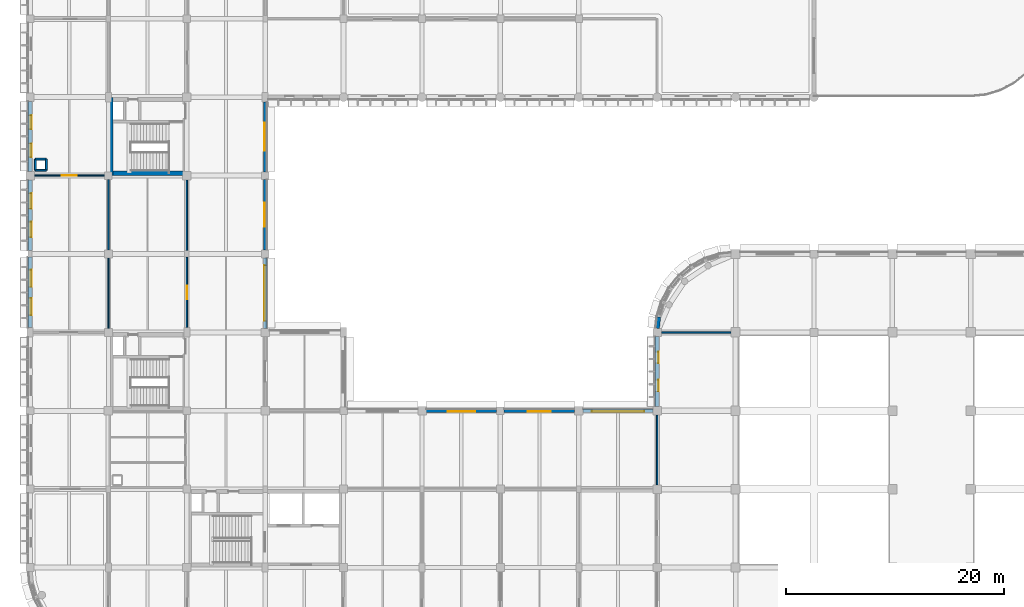
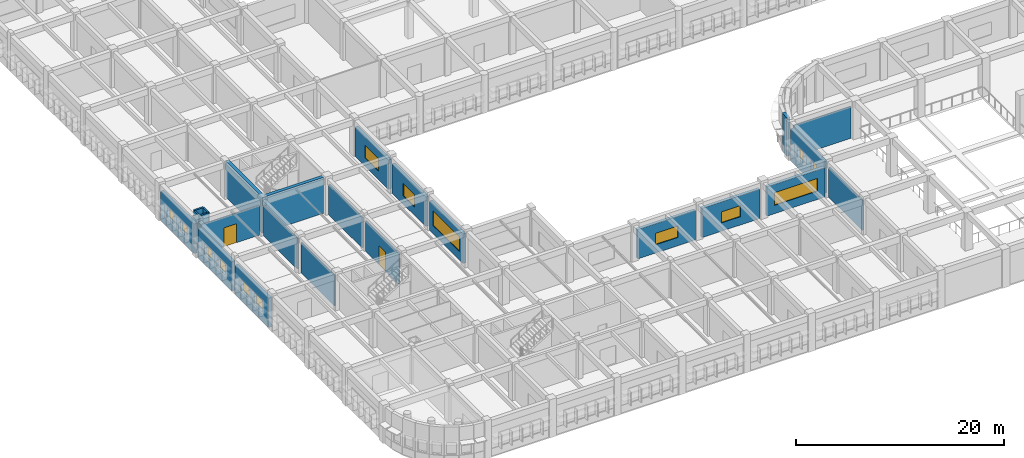
# One storey, part 37 of 61: 24 walls, 14 windows, 2 doors, 16 openings.
"""IFC4 building model written with IfcOpenShell, lengths in metres."""

from ifc_helpers import new_model, si_unit, direction, frame, frame_2d, origin, place, context, subcontext, project, spatial, rectangle, extrude, material, layer, layer_set, type_object, element, fill, save


model = new_model("IFC4")

# Units and contexts
model_context = context("Model", 3, precision=1e-05, world=origin(), true_north=direction((0.0, 1.0)))
body_context = subcontext(model_context, "Body", "Model", "MODEL_VIEW")
ifc_project = project(units=[si_unit("LENGTHUNIT", "METRE"), si_unit("AREAUNIT", "SQUARE_METRE"), si_unit("VOLUMEUNIT", "CUBIC_METRE"), si_unit("PLANEANGLEUNIT", "RADIAN"), si_unit("MASSUNIT", "GRAM", prefix="KILO")], contexts=[model_context])

# Site, building, storey
site_placement = place(None, origin())
site = spatial("IfcSite", under=ifc_project, at=site_placement, CompositionType="ELEMENT")
building_placement = place(site_placement, origin())
building = spatial("IfcBuilding", under=site, at=building_placement, Name="Thalmaran Polytechnic", CompositionType="ELEMENT")
storey_placement = place(building_placement, frame((0.0, 0.0, 9.89990234375)))
storey = spatial("IfcBuildingStorey", under=building, at=storey_placement, Name="L02", CompositionType="ELEMENT", Elevation=9.89990234375)

# Wall, openings, windows
ifc_material_1 = material(Name="Precast concrete C40/50", Category="concrete")
ifc_layer_1 = layer(ifc_material_1, 0.360107421875, Name="Precast concrete C40/50")
ifc_layer_set_1 = layer_set([ifc_layer_1], Name="Precast concrete C40/50")
wall_type_1 = type_object("IfcWallType", Name="WL-EW01", PredefinedType="STANDARD", material=ifc_layer_set_1)
wall_1_placement = place(storey_placement, frame((0.0, 29.22509765625, 0.0), z_axis=(0.0, 0.0, 1.0), x_axis=(0.0, 1.0, 0.0)))
wall_1 = element("IfcWall", 1, at=wall_1_placement, inside=storey, type_object=wall_type_1, Name="Exterior Precast Facade Wall L02-005", PredefinedType="STANDARD", context=body_context, shape_type="SweptSolid", body=[
    extrude(rectangle(XDim=6.474853515625, YDim=0.360107421875, at=frame_2d((3.2373046875, 0.0))), origin(), (0.0, 0.0, 1.0), 3.47021484375),
])
opening_1_placement = place(wall_1_placement, frame((1.16748046875, 0.0, 1.14990234375)))
opening_1 = element("IfcOpeningElement", 2, at=opening_1_placement, cuts=wall_1, Name="Opening VW09", PredefinedType="OPENING", context=body_context, shape_type="SweptSolid", body=[
    extrude(rectangle(XDim=1.550048828125, YDim=1.35009765625, at=frame_2d((0.77490234375, 0.675048828125))), frame((0.0, 0.18994140625, 0.0), z_axis=(0.0, -1.0, 0.0), x_axis=(1.0, 0.0, 0.0)), (0.0, 0.0, 1.0), 0.380126953125),
])
opening_2_placement = place(wall_1_placement, frame((3.757568359375, 0.0, 1.14990234375)))
opening_2 = element("IfcOpeningElement", 3, at=opening_2_placement, cuts=wall_1, Name="Opening VW09", PredefinedType="OPENING", context=body_context, shape_type="SweptSolid", body=[
    extrude(rectangle(XDim=1.550048828125, YDim=1.35009765625, at=frame_2d((0.77490234375, 0.675048828125))), frame((0.0, 0.18994140625, 0.0), z_axis=(0.0, -1.0, 0.0), x_axis=(1.0, 0.0, 0.0)), (0.0, 0.0, 1.0), 0.380126953125),
])
ifc_material_2 = material(Name="Thermally broken aluminium and double low-E glass", Category="aluminium")
window_type_1 = type_object("IfcWindowType", Name="WN-VZ09", PartitioningType="SINGLE_PANEL", PredefinedType="WINDOW", material=ifc_material_2)
window_1_placement = place(opening_1_placement, origin())
window_1 = element("IfcWindow", 4, at=window_1_placement, inside=storey, type_object=window_type_1, Name="Deep-Set Solar-Screened Window W-0193", OverallHeight=1.35009765625, OverallWidth=1.550048828125, PartitioningType="SINGLE_PANEL", PredefinedType="WINDOW", context=body_context, shape_type="SweptSolid", body=[
    extrude(rectangle(XDim=1.550048828125, YDim=1.35009765625, at=frame_2d((0.77490234375, 0.675048828125))), frame((0.0, -0.080078125, 0.0), z_axis=(0.0, -1.0, 0.0), x_axis=(1.0, 0.0, 0.0)), (0.0, 0.0, 1.0), 0.06005859375),
])
fill(opening_1, window_1)
window_2_placement = place(opening_2_placement, origin())
window_2 = element("IfcWindow", 5, at=window_2_placement, inside=storey, type_object=window_type_1, Name="Deep-Set Solar-Screened Window W-0194", OverallHeight=1.35009765625, OverallWidth=1.550048828125, PartitioningType="SINGLE_PANEL", PredefinedType="WINDOW", context=body_context, shape_type="SweptSolid", body=[
    extrude(rectangle(XDim=1.550048828125, YDim=1.35009765625, at=frame_2d((0.77490234375, 0.675048828125))), frame((0.0, -0.080078125, 0.0), z_axis=(0.0, -1.0, 0.0), x_axis=(1.0, 0.0, 0.0)), (0.0, 0.0, 1.0), 0.06005859375),
])
fill(opening_2, window_2)

wall_2_placement = place(storey_placement, frame((0.0, 36.300048828125, 0.0), z_axis=(0.0, 0.0, 1.0), x_axis=(0.0, 1.0, 0.0)))
wall_2 = element("IfcWall", 6, at=wall_2_placement, inside=storey, type_object=wall_type_1, Name="Exterior Precast Facade Wall L02-006", PredefinedType="STANDARD", context=body_context, shape_type="SweptSolid", body=[
    extrude(rectangle(XDim=6.510009765625, YDim=0.360107421875, at=frame_2d((3.2548828125, 0.0))), origin(), (0.0, 0.0, 1.0), 3.47021484375),
])
opening_3_placement = place(wall_2_placement, frame((1.2529296875, 0.0, 1.14990234375)))
opening_3 = element("IfcOpeningElement", 7, at=opening_3_placement, cuts=wall_2, Name="Opening VW10", PredefinedType="OPENING", context=body_context, shape_type="SweptSolid", body=[
    extrude(rectangle(XDim=1.39990234375, YDim=1.300048828125, at=frame_2d((0.699951171875, 0.64990234375))), frame((0.0, 0.18994140625, 0.0), z_axis=(0.0, -1.0, 0.0), x_axis=(1.0, 0.0, 0.0)), (0.0, 0.0, 1.0), 0.380126953125),
])
opening_4_placement = place(wall_2_placement, frame((3.85693359375, 0.0, 1.14990234375)))
opening_4 = element("IfcOpeningElement", 8, at=opening_4_placement, cuts=wall_2, Name="Opening VW10", PredefinedType="OPENING", context=body_context, shape_type="SweptSolid", body=[
    extrude(rectangle(XDim=1.39990234375, YDim=1.300048828125, at=frame_2d((0.699951171875, 0.64990234375))), frame((0.0, 0.18994140625, 0.0), z_axis=(0.0, -1.0, 0.0), x_axis=(1.0, 0.0, 0.0)), (0.0, 0.0, 1.0), 0.380126953125),
])
window_type_2 = type_object("IfcWindowType", Name="WN-VZ10", PartitioningType="SINGLE_PANEL", PredefinedType="WINDOW", material=ifc_material_2)
window_3_placement = place(opening_3_placement, origin())
window_3 = element("IfcWindow", 9, at=window_3_placement, inside=storey, type_object=window_type_2, Name="Deep-Set Solar-Screened Window W-0195", OverallHeight=1.300048828125, OverallWidth=1.39990234375, PartitioningType="SINGLE_PANEL", PredefinedType="WINDOW", context=body_context, shape_type="SweptSolid", body=[
    extrude(rectangle(XDim=1.39990234375, YDim=1.300048828125, at=frame_2d((0.699951171875, 0.64990234375))), frame((0.0, -0.080078125, 0.0), z_axis=(0.0, -1.0, 0.0), x_axis=(1.0, 0.0, 0.0)), (0.0, 0.0, 1.0), 0.06005859375),
])
fill(opening_3, window_3)
window_4_placement = place(opening_4_placement, origin())
window_4 = element("IfcWindow", 10, at=window_4_placement, inside=storey, type_object=window_type_2, Name="Deep-Set Solar-Screened Window W-0196", OverallHeight=1.300048828125, OverallWidth=1.39990234375, PartitioningType="SINGLE_PANEL", PredefinedType="WINDOW", context=body_context, shape_type="SweptSolid", body=[
    extrude(rectangle(XDim=1.39990234375, YDim=1.300048828125, at=frame_2d((0.699951171875, 0.64990234375))), frame((0.0, -0.080078125, 0.0), z_axis=(0.0, -1.0, 0.0), x_axis=(1.0, 0.0, 0.0)), (0.0, 0.0, 1.0), 0.06005859375),
])
fill(opening_4, window_4)

wall_3_placement = place(storey_placement, frame((0.0, 43.590087890625, 0.0), z_axis=(0.0, 0.0, 1.0), x_axis=(0.0, 1.0, 0.0)))
wall_3 = element("IfcWall", 11, at=wall_3_placement, inside=storey, type_object=wall_type_1, Name="Exterior Precast Facade Wall L02-007", PredefinedType="STANDARD", context=body_context, shape_type="SweptSolid", body=[
    extrude(rectangle(XDim=6.434814453125, YDim=0.360107421875, at=frame_2d((3.21728515625, 0.0))), origin(), (0.0, 0.0, 1.0), 3.47021484375),
])
opening_5_placement = place(wall_3_placement, frame((1.305419921875, 0.0, 1.14990234375)))
opening_5 = element("IfcOpeningElement", 12, at=opening_5_placement, cuts=wall_3, Name="Opening VW11", PredefinedType="OPENING", context=body_context, shape_type="SweptSolid", body=[
    extrude(rectangle(XDim=1.25, YDim=1.25, at=frame_2d((0.625, 0.625))), frame((0.0, 0.18994140625, 0.0), z_axis=(0.0, -1.0, 0.0), x_axis=(1.0, 0.0, 0.0)), (0.0, 0.0, 1.0), 0.380126953125),
])
opening_6_placement = place(wall_3_placement, frame((3.87939453125, 0.0, 1.14990234375)))
opening_6 = element("IfcOpeningElement", 13, at=opening_6_placement, cuts=wall_3, Name="Opening VW11", PredefinedType="OPENING", context=body_context, shape_type="SweptSolid", body=[
    extrude(rectangle(XDim=1.25, YDim=1.25, at=frame_2d((0.625, 0.625))), frame((0.0, 0.18994140625, 0.0), z_axis=(0.0, -1.0, 0.0), x_axis=(1.0, 0.0, 0.0)), (0.0, 0.0, 1.0), 0.380126953125),
])
window_type_3 = type_object("IfcWindowType", Name="WN-VZ11", PartitioningType="SINGLE_PANEL", PredefinedType="WINDOW", material=ifc_material_2)
window_5_placement = place(opening_5_placement, origin())
window_5 = element("IfcWindow", 14, at=window_5_placement, inside=storey, type_object=window_type_3, Name="Deep-Set Solar-Screened Window W-0197", OverallHeight=1.25, OverallWidth=1.25, PartitioningType="SINGLE_PANEL", PredefinedType="WINDOW", context=body_context, shape_type="SweptSolid", body=[
    extrude(rectangle(XDim=1.25, YDim=1.25, at=frame_2d((0.625, 0.625))), frame((0.0, -0.080078125, 0.0), z_axis=(0.0, -1.0, 0.0), x_axis=(1.0, 0.0, 0.0)), (0.0, 0.0, 1.0), 0.06005859375),
])
fill(opening_5, window_5)
window_6_placement = place(opening_6_placement, origin())
window_6 = element("IfcWindow", 15, at=window_6_placement, inside=storey, type_object=window_type_3, Name="Deep-Set Solar-Screened Window W-0198", OverallHeight=1.25, OverallWidth=1.25, PartitioningType="SINGLE_PANEL", PredefinedType="WINDOW", context=body_context, shape_type="SweptSolid", body=[
    extrude(rectangle(XDim=1.25, YDim=1.25, at=frame_2d((0.625, 0.625))), frame((0.0, -0.080078125, 0.0), z_axis=(0.0, -1.0, 0.0), x_axis=(1.0, 0.0, 0.0)), (0.0, 0.0, 1.0), 0.06005859375),
])
fill(opening_6, window_6)

wall_4_placement = place(storey_placement, frame((57.60009765625, 21.97509765625, 0.0), z_axis=(0.0, 0.0, 1.0), x_axis=(0.0, 1.0, 0.0)))
wall_4 = element("IfcWall", 16, at=wall_4_placement, inside=storey, type_object=wall_type_1, Name="Exterior Precast Facade Wall L02-138", PredefinedType="STANDARD", context=body_context, shape_type="SweptSolid", body=[
    extrude(rectangle(XDim=6.449951171875, YDim=0.360107421875, at=frame_2d((3.22509765625, 0.0))), origin(), (0.0, 0.0, 1.0), 3.7451171875),
])
opening_7_placement = place(wall_4_placement, frame((1.409912109375, 0.0, 1.14990234375)))
opening_7 = element("IfcOpeningElement", 17, at=opening_7_placement, cuts=wall_4, Name="Opening PW12", PredefinedType="OPENING", context=body_context, shape_type="SweptSolid", body=[
    extrude(rectangle(XDim=1.050048828125, YDim=1.35009765625, at=frame_2d((0.52490234375, 0.675048828125))), frame((0.0, 0.18994140625, 0.0), z_axis=(0.0, -1.0, 0.0), x_axis=(1.0, 0.0, 0.0)), (0.0, 0.0, 1.0), 0.380126953125),
])
opening_8_placement = place(wall_4_placement, frame((3.989990234375, 0.0, 1.14990234375)))
opening_8 = element("IfcOpeningElement", 18, at=opening_8_placement, cuts=wall_4, Name="Opening PW12", PredefinedType="OPENING", context=body_context, shape_type="SweptSolid", body=[
    extrude(rectangle(XDim=1.050048828125, YDim=1.35009765625, at=frame_2d((0.52490234375, 0.675048828125))), frame((0.0, 0.18994140625, 0.0), z_axis=(0.0, -1.0, 0.0), x_axis=(1.0, 0.0, 0.0)), (0.0, 0.0, 1.0), 0.380126953125),
])
window_type_4 = type_object("IfcWindowType", Name="WN-PW02", PartitioningType="SINGLE_PANEL", PredefinedType="WINDOW", material=ifc_material_2)
window_7_placement = place(opening_7_placement, origin())
window_7 = element("IfcWindow", 19, at=window_7_placement, inside=storey, type_object=window_type_4, Name="Deep-Set Solar-Screened Window W-0352", OverallHeight=1.35009765625, OverallWidth=1.050048828125, PartitioningType="SINGLE_PANEL", PredefinedType="WINDOW", context=body_context, shape_type="SweptSolid", body=[
    extrude(rectangle(XDim=1.050048828125, YDim=1.35009765625, at=frame_2d((0.52490234375, 0.675048828125))), frame((0.0, -0.080078125, 0.0), z_axis=(0.0, -1.0, 0.0), x_axis=(1.0, 0.0, 0.0)), (0.0, 0.0, 1.0), 0.06005859375),
])
fill(opening_7, window_7)
window_8_placement = place(opening_8_placement, origin())
window_8 = element("IfcWindow", 20, at=window_8_placement, inside=storey, type_object=window_type_4, Name="Deep-Set Solar-Screened Window W-0353", OverallHeight=1.35009765625, OverallWidth=1.050048828125, PartitioningType="SINGLE_PANEL", PredefinedType="WINDOW", context=body_context, shape_type="SweptSolid", body=[
    extrude(rectangle(XDim=1.050048828125, YDim=1.35009765625, at=frame_2d((0.52490234375, 0.675048828125))), frame((0.0, -0.080078125, 0.0), z_axis=(0.0, -1.0, 0.0), x_axis=(1.0, 0.0, 0.0)), (0.0, 0.0, 1.0), 0.06005859375),
])
fill(opening_8, window_8)

# Wall
wall_5_placement = place(storey_placement, frame((57.63671875, 29.173095703125, 0.0), z_axis=(0.0, 0.0, 1.0), x_axis=(0.097987704654, 0.995187625394, 0.0)))
element("IfcWall", 21, at=wall_5_placement, inside=storey, type_object=wall_type_1, Name="Exterior Precast Facade Wall L02-139", PredefinedType="STANDARD", context=body_context, shape_type="SweptSolid", body=[
    extrude(rectangle(XDim=1.036376953125, YDim=0.360107421875, at=frame_2d((0.51806640625, 0.0))), origin(), (0.0, 0.0, 1.0), 4.47998046875),
])

# Wall, opening, window
ifc_layer_2 = layer(ifc_material_1, 0.330078125, Name="Precast concrete C40/50")
ifc_layer_set_2 = layer_set([ifc_layer_2], Name="Precast concrete C40/50")
wall_type_2 = type_object("IfcWallType", Name="WL-EW02", PredefinedType="STANDARD", material=ifc_layer_set_2)
wall_6_placement = place(storey_placement, frame((21.60009765625, 49.97509765625, 0.0), z_axis=(0.0, 0.0, 1.0), x_axis=(0.0, -1.0, 0.0)))
wall_6 = element("IfcWall", 22, at=wall_6_placement, inside=storey, type_object=wall_type_2, Name="Exterior Precast Facade Wall L02-129", PredefinedType="STANDARD", context=body_context, shape_type="SweptSolid", body=[
    extrude(rectangle(XDim=6.425048828125, YDim=0.330078125, at=frame_2d((3.21240234375, 0.0))), origin(), (0.0, 0.0, 1.0), 3.47021484375),
])
opening_9_placement = place(wall_6_placement, frame((1.91259765625, 0.0, 0.97998046875)))
opening_9 = element("IfcOpeningElement", 23, at=opening_9_placement, cuts=wall_6, Name="Opening VW05", PredefinedType="OPENING", context=body_context, shape_type="SweptSolid", body=[
    extrude(rectangle(XDim=2.60009765625, YDim=1.5, at=frame_2d((1.300048828125, 0.75))), frame((0.0, 0.175048828125, 0.0), z_axis=(0.0, -1.0, 0.0), x_axis=(1.0, 0.0, 0.0)), (0.0, 0.0, 1.0), 0.35009765625),
])
window_type_5 = type_object("IfcWindowType", Name="WN-VZ05", PartitioningType="DOUBLE_PANEL_VERTICAL", PredefinedType="WINDOW", material=ifc_material_2)
window_9_placement = place(opening_9_placement, origin())
window_9 = element("IfcWindow", 24, at=window_9_placement, inside=storey, type_object=window_type_5, Name="Streamline Ribbon Window W-0343", OverallHeight=1.5, OverallWidth=2.60009765625, PartitioningType="SINGLE_PANEL", PredefinedType="WINDOW", context=body_context, shape_type="SweptSolid", body=[
    extrude(rectangle(XDim=2.60009765625, YDim=1.5, at=frame_2d((1.300048828125, 0.75))), frame((0.0, -0.030029296875, 0.0), z_axis=(0.0, -1.0, 0.0), x_axis=(1.0, 0.0, 0.0)), (0.0, 0.0, 1.0), 0.06005859375),
])
fill(opening_9, window_9)

wall_7_placement = place(storey_placement, frame((21.60009765625, 42.85009765625, 0.0), z_axis=(0.0, 0.0, 1.0), x_axis=(0.0, -1.0, 0.0)))
wall_7 = element("IfcWall", 25, at=wall_7_placement, inside=storey, type_object=wall_type_2, Name="Exterior Precast Facade Wall L02-130", PredefinedType="STANDARD", context=body_context, shape_type="SweptSolid", body=[
    extrude(rectangle(XDim=6.489990234375, YDim=0.330078125, at=frame_2d((3.2451171875, 0.0))), origin(), (0.0, 0.0, 1.0), 3.47021484375),
])
opening_10_placement = place(wall_7_placement, frame((2.14501953125, 0.0, 0.97998046875)))
opening_10 = element("IfcOpeningElement", 26, at=opening_10_placement, cuts=wall_7, Name="Opening VW06", PredefinedType="OPENING", context=body_context, shape_type="SweptSolid", body=[
    extrude(rectangle(XDim=2.199951171875, YDim=1.449951171875, at=frame_2d((1.10009765625, 0.72509765625))), frame((0.0, 0.175048828125, 0.0), z_axis=(0.0, -1.0, 0.0), x_axis=(1.0, 0.0, 0.0)), (0.0, 0.0, 1.0), 0.35009765625),
])
window_type_6 = type_object("IfcWindowType", Name="WN-VZ06", PartitioningType="DOUBLE_PANEL_VERTICAL", PredefinedType="WINDOW", material=ifc_material_2)
window_10_placement = place(opening_10_placement, origin())
window_10 = element("IfcWindow", 27, at=window_10_placement, inside=storey, type_object=window_type_6, Name="Streamline Ribbon Window W-0344", OverallHeight=1.449951171875, OverallWidth=2.199951171875, PartitioningType="SINGLE_PANEL", PredefinedType="WINDOW", context=body_context, shape_type="SweptSolid", body=[
    extrude(rectangle(XDim=2.199951171875, YDim=1.449951171875, at=frame_2d((1.10009765625, 0.72509765625))), frame((0.0, -0.030029296875, 0.0), z_axis=(0.0, -1.0, 0.0), x_axis=(1.0, 0.0, 0.0)), (0.0, 0.0, 1.0), 0.06005859375),
])
fill(opening_10, window_10)

wall_8_placement = place(storey_placement, frame((21.60009765625, 35.639892578125, 0.0), z_axis=(0.0, 0.0, 1.0), x_axis=(0.0, -1.0, 0.0)))
wall_8 = element("IfcWall", 28, at=wall_8_placement, inside=storey, type_object=wall_type_2, Name="Exterior Precast Facade Wall L02-131", PredefinedType="STANDARD", context=body_context, shape_type="SweptSolid", body=[
    extrude(rectangle(XDim=6.46484375, YDim=0.330078125, at=frame_2d((3.232421875, 0.0))), origin(), (0.0, 0.0, 1.0), 3.47021484375),
])
opening_11_placement = place(wall_8_placement, frame((0.6826171875, 0.0, 0.97998046875)))
opening_11 = element("IfcOpeningElement", 29, at=opening_11_placement, cuts=wall_8, Name="Opening VW15", PredefinedType="OPENING", context=body_context, shape_type="SweptSolid", body=[
    extrude(rectangle(XDim=5.10009765625, YDim=1.75, at=frame_2d((2.550048828125, 0.875))), frame((0.0, 0.175048828125, 0.0), z_axis=(0.0, -1.0, 0.0), x_axis=(1.0, 0.0, 0.0)), (0.0, 0.0, 1.0), 0.35009765625),
])
window_type_7 = type_object("IfcWindowType", Name="WN-VZ15", PartitioningType="TRIPLE_PANEL_HORIZONTAL", PredefinedType="WINDOW", material=ifc_material_2)
window_11_placement = place(opening_11_placement, origin())
window_11 = element("IfcWindow", 30, at=window_11_placement, inside=storey, type_object=window_type_7, Name="Streamline Ribbon Window W-0345", OverallHeight=1.75, OverallWidth=5.10009765625, PartitioningType="SINGLE_PANEL", PredefinedType="WINDOW", context=body_context, shape_type="SweptSolid", body=[
    extrude(rectangle(XDim=5.10009765625, YDim=1.75, at=frame_2d((2.550048828125, 0.875))), frame((0.0, -0.030029296875, 0.0), z_axis=(0.0, -1.0, 0.0), x_axis=(1.0, 0.0, 0.0)), (0.0, 0.0, 1.0), 0.06005859375),
])
fill(opening_11, window_11)

wall_9_placement = place(storey_placement, frame((36.389892578125, 21.60009765625, 0.0), z_axis=(0.0, 0.0, 1.0), x_axis=(1.0, 0.0, 0.0)))
wall_9 = element("IfcWall", 31, at=wall_9_placement, inside=storey, type_object=wall_type_2, Name="Exterior Precast Facade Wall L02-135", PredefinedType="STANDARD", context=body_context, shape_type="SweptSolid", body=[
    extrude(rectangle(XDim=6.460205078125, YDim=0.330078125, at=frame_2d((3.22998046875, 0.0))), origin(), (0.0, 0.0, 1.0), 3.460205078125),
])
opening_12_placement = place(wall_9_placement, frame((1.97998046875, 0.0, 0.97998046875)))
opening_12 = element("IfcOpeningElement", 32, at=opening_12_placement, cuts=wall_9, Name="Opening VW19", PredefinedType="OPENING", context=body_context, shape_type="SweptSolid", body=[
    extrude(rectangle(XDim=2.5, YDim=1.35009765625, at=frame_2d((1.25, 0.675048828125))), frame((0.0, 0.175048828125, 0.0), z_axis=(0.0, -1.0, 0.0), x_axis=(1.0, 0.0, 0.0)), (0.0, 0.0, 1.0), 0.35009765625),
])
window_type_8 = type_object("IfcWindowType", Name="WN-VZ19", PartitioningType="DOUBLE_PANEL_VERTICAL", PredefinedType="WINDOW", material=ifc_material_2)
window_12_placement = place(opening_12_placement, origin())
window_12 = element("IfcWindow", 33, at=window_12_placement, inside=storey, type_object=window_type_8, Name="Streamline Ribbon Window W-0349", OverallHeight=1.35009765625, OverallWidth=2.5, PartitioningType="SINGLE_PANEL", PredefinedType="WINDOW", context=body_context, shape_type="SweptSolid", body=[
    extrude(rectangle(XDim=2.5, YDim=1.35009765625, at=frame_2d((1.25, 0.675048828125))), frame((0.0, -0.030029296875, 0.0), z_axis=(0.0, -1.0, 0.0), x_axis=(1.0, 0.0, 0.0)), (0.0, 0.0, 1.0), 0.06005859375),
])
fill(opening_12, window_12)

wall_10_placement = place(storey_placement, frame((43.550048828125, 21.60009765625, 0.0), z_axis=(0.0, 0.0, 1.0), x_axis=(1.0, 0.0, 0.0)))
wall_10 = element("IfcWall", 34, at=wall_10_placement, inside=storey, type_object=wall_type_2, Name="Exterior Precast Facade Wall L02-136", PredefinedType="STANDARD", context=body_context, shape_type="SweptSolid", body=[
    extrude(rectangle(XDim=6.4599609375, YDim=0.330078125, at=frame_2d((3.22998046875, 0.0))), origin(), (0.0, 0.0, 1.0), 3.460205078125),
])
opening_13_placement = place(wall_10_placement, frame((2.179931640625, 0.0, 0.97998046875)))
opening_13 = element("IfcOpeningElement", 35, at=opening_13_placement, cuts=wall_10, Name="Opening VW20", PredefinedType="OPENING", context=body_context, shape_type="SweptSolid", body=[
    extrude(rectangle(XDim=2.10009765625, YDim=1.300048828125, at=frame_2d((1.050048828125, 0.64990234375))), frame((0.0, 0.175048828125, 0.0), z_axis=(0.0, -1.0, 0.0), x_axis=(1.0, 0.0, 0.0)), (0.0, 0.0, 1.0), 0.35009765625),
])
window_type_9 = type_object("IfcWindowType", Name="WN-VZ20", PartitioningType="SINGLE_PANEL", PredefinedType="WINDOW", material=ifc_material_2)
window_13_placement = place(opening_13_placement, origin())
window_13 = element("IfcWindow", 36, at=window_13_placement, inside=storey, type_object=window_type_9, Name="Streamline Ribbon Window W-0350", OverallHeight=1.300048828125, OverallWidth=2.10009765625, PartitioningType="SINGLE_PANEL", PredefinedType="WINDOW", context=body_context, shape_type="SweptSolid", body=[
    extrude(rectangle(XDim=2.10009765625, YDim=1.300048828125, at=frame_2d((1.050048828125, 0.64990234375))), frame((0.0, -0.030029296875, 0.0), z_axis=(0.0, -1.0, 0.0), x_axis=(1.0, 0.0, 0.0)), (0.0, 0.0, 1.0), 0.06005859375),
])
fill(opening_13, window_13)

wall_11_placement = place(storey_placement, frame((50.7900390625, 21.60009765625, 0.0), z_axis=(0.0, 0.0, 1.0), x_axis=(1.0, 0.0, 0.0)))
wall_11 = element("IfcWall", 37, at=wall_11_placement, inside=storey, type_object=wall_type_2, Name="Exterior Precast Facade Wall L02-137", PredefinedType="STANDARD", context=body_context, shape_type="SweptSolid", body=[
    extrude(rectangle(XDim=6.43505859375, YDim=0.330078125, at=frame_2d((3.217529296875, 0.0))), origin(), (0.0, 0.0, 1.0), 3.460205078125),
])
opening_14_placement = place(wall_11_placement, frame((0.8173828125, 0.0, 0.97998046875)))
opening_14 = element("IfcOpeningElement", 38, at=opening_14_placement, cuts=wall_11, Name="Opening RW01", PredefinedType="OPENING", context=body_context, shape_type="SweptSolid", body=[
    extrude(rectangle(XDim=4.800048828125, YDim=1.5, at=frame_2d((2.39990234375, 0.75))), frame((0.0, 0.175048828125, 0.0), z_axis=(0.0, -1.0, 0.0), x_axis=(1.0, 0.0, 0.0)), (0.0, 0.0, 1.0), 0.35009765625),
])
window_type_10 = type_object("IfcWindowType", Name="WN-RW01", PartitioningType="TRIPLE_PANEL_HORIZONTAL", PredefinedType="WINDOW", material=ifc_material_2)
window_14_placement = place(opening_14_placement, origin())
window_14 = element("IfcWindow", 39, at=window_14_placement, inside=storey, type_object=window_type_10, Name="Streamline Ribbon Window W-0351", OverallHeight=1.5, OverallWidth=4.800048828125, PartitioningType="SINGLE_PANEL", PredefinedType="WINDOW", context=body_context, shape_type="SweptSolid", body=[
    extrude(rectangle(XDim=4.800048828125, YDim=1.5, at=frame_2d((2.39990234375, 0.75))), frame((0.0, -0.030029296875, 0.0), z_axis=(0.0, -1.0, 0.0), x_axis=(1.0, 0.0, 0.0)), (0.0, 0.0, 1.0), 0.06005859375),
])
fill(opening_14, window_14)

# Walls
ifc_material_3 = material(Name="Autoclaved aerated masonry", Category="masonry")
ifc_layer_3 = layer(ifc_material_3, 0.179931640625, Name="Autoclaved aerated masonry")
ifc_layer_set_3 = layer_set([ifc_layer_3], Name="Autoclaved aerated masonry")
wall_type_3 = type_object("IfcWallType", Name="WL-IW04", PredefinedType="PARTITIONING", material=ifc_layer_set_3)
for number, where, z_axis, x_axis, name in (
    (40, (0.489990234375, 43.68994140625, 0.0), (0.0, 0.0, 1.0), (1.0, 0.0, 0.0), "Fume Exhaust Riser Shaft Wall L02 (0,6)-S"),
    (41, (1.510009765625, 43.68994140625, 0.0), (0.0, 0.0, 1.0), (0.0, 1.0, 0.0), "Fume Exhaust Riser Shaft Wall L02 (0,6)-E"),
    (42, (1.510009765625, 44.7099609375, 0.0), (0.0, 0.0, 1.0), (-1.0, 0.0, 0.0), "Fume Exhaust Riser Shaft Wall L02 (0,6)-N"),
    (43, (0.489990234375, 44.7099609375, 0.0), (0.0, 0.0, 1.0), (0.0, -1.0, 0.0), "Fume Exhaust Riser Shaft Wall L02 (0,6)-W"),
):
    element("IfcWall", number, at=place(storey_placement, frame(where, z_axis=z_axis, x_axis=x_axis)), inside=storey, type_object=wall_type_3, Name=name, PredefinedType="PARTITIONING", context=body_context, shape_type="SweptSolid", body=[
        extrude(rectangle(XDim=1.02001953125, YDim=0.179931640625, at=frame_2d((0.510009765625, 0.0))), origin(), (0.0, 0.0, 1.0), 4.22509765625),
    ])

# Wall, opening, door
ifc_material_4 = material(Name="Gypsum acoustic partition")
ifc_layer_4 = layer(ifc_material_4, 0.14501953125, Name="Gypsum acoustic partition")
ifc_layer_set_4 = layer_set([ifc_layer_4], Name="Gypsum acoustic partition")
wall_type_4 = type_object("IfcWallType", Name="WL-IW06", PredefinedType="PARTITIONING", material=ifc_layer_set_4)
wall_12_placement = place(storey_placement, frame((14.39990234375, 29.22998046875, 0.0), z_axis=(0.0, 0.0, 1.0), x_axis=(0.0, 1.0, 0.0)))
wall_12 = element("IfcWall", 44, at=wall_12_placement, inside=storey, type_object=wall_type_4, Name="Interior Partition IW06 L02-018", PredefinedType="PARTITIONING", context=body_context, shape_type="SweptSolid", body=[
    extrude(rectangle(XDim=6.465087890625, YDim=0.14501953125, at=frame_2d((3.232421875, 0.0))), origin(), (0.0, 0.0, 1.0), 3.59521484375),
])
opening_15_placement = place(wall_12_placement, frame((2.592529296875, 0.0, 0.0)))
opening_15 = element("IfcOpeningElement", 45, at=opening_15_placement, cuts=wall_12, Name="Opening D-L02-005-1-08-1", PredefinedType="OPENING", context=body_context, shape_type="SweptSolid", body=[
    extrude(rectangle(XDim=1.280029296875, YDim=2.239990234375, at=frame_2d((0.64013671875, 1.1201171875))), frame((0.0, 0.08251953125, 0.0), z_axis=(0.0, -1.0, 0.0), x_axis=(1.0, 0.0, 0.0)), (0.0, 0.0, 1.0), 0.1650390625),
])
ifc_material_5 = material(Name="Powder-coated fire-rated steel", Category="steel")
door_type_1 = type_object("IfcDoorType", Name="DR-ZD10", OperationType="NOTDEFINED", PredefinedType="DOOR", material=ifc_material_5)
door_1_placement = place(opening_15_placement, origin())
door_1 = element("IfcDoor", 46, at=door_1_placement, inside=storey, type_object=door_type_1, Name="Architecture Design Studio L02-08 Door 1", OperationType="SINGLE_SWING_RIGHT", OverallHeight=2.239990234375, OverallWidth=1.280029296875, PredefinedType="DOOR", context=body_context, shape_type="SweptSolid", body=[
    extrude(rectangle(XDim=1.280029296875, YDim=2.239990234375, at=frame_2d((0.64013671875, 1.1201171875))), frame((0.0, 0.02490234375, 0.0), z_axis=(0.0, -1.0, 0.0), x_axis=(1.0, 0.0, 0.0)), (0.0, 0.0, 1.0), 0.050048828125),
])
fill(opening_15, door_1)

# Walls
wall_13_placement = place(storey_placement, frame((14.39990234375, 36.304931640625, 0.0), z_axis=(0.0, 0.0, 1.0), x_axis=(0.0, 1.0, 0.0)))
element("IfcWall", 47, at=wall_13_placement, inside=storey, type_object=wall_type_4, Name="Interior Partition IW06 L02-019", PredefinedType="PARTITIONING", context=body_context, shape_type="SweptSolid", body=[
    extrude(rectangle(XDim=6.5, YDim=0.14501953125, at=frame_2d((3.25, 0.0))), origin(), (0.0, 0.0, 1.0), 3.590087890625),
])
wall_14_placement = place(storey_placement, frame((57.60009765625, 14.780029296875, 0.0), z_axis=(0.0, 0.0, 1.0), x_axis=(0.0, 1.0, 0.0)))
element("IfcWall", 48, at=wall_14_placement, inside=storey, type_object=wall_type_4, Name="Interior Partition IW06 L02-070", PredefinedType="PARTITIONING", context=body_context, shape_type="SweptSolid", body=[
    extrude(rectangle(XDim=6.43994140625, YDim=0.14501953125, at=frame_2d((3.219970703125, 0.0))), origin(), (0.0, 0.0, 1.0), 3.52001953125),
])
wall_15_placement = place(storey_placement, frame((57.97998046875, 28.800048828125, 0.0), z_axis=(0.0, 0.0, 1.0), x_axis=(1.0, 0.0, 0.0)))
element("IfcWall", 49, at=wall_15_placement, inside=storey, type_object=wall_type_4, Name="Interior Partition IW06 L02-074", PredefinedType="PARTITIONING", context=body_context, shape_type="SweptSolid", body=[
    extrude(rectangle(XDim=6.39013671875, YDim=0.14501953125, at=frame_2d((3.195068359375, 0.0))), origin(), (0.0, 0.0, 1.0), 3.72021484375),
])
ifc_layer_5 = layer(ifc_material_4, 0.1298828125, Name="Gypsum acoustic partition")
ifc_layer_set_5 = layer_set([ifc_layer_5], Name="Gypsum acoustic partition")
wall_type_5 = type_object("IfcWallType", Name="WL-IW07", PredefinedType="PARTITIONING", material=ifc_layer_set_5)
wall_16_placement = place(storey_placement, frame((7.199951171875, 36.364990234375, 0.0), z_axis=(0.0, 0.0, 1.0), x_axis=(0.0, 1.0, 0.0)))
element("IfcWall", 50, at=wall_16_placement, inside=storey, type_object=wall_type_5, Name="Interior Partition IW07 L02-006", PredefinedType="PARTITIONING", context=body_context, shape_type="SweptSolid", body=[
    extrude(rectangle(XDim=6.47998046875, YDim=0.1298828125, at=frame_2d((3.239990234375, 0.0))), origin(), (0.0, 0.0, 1.0), 3.590087890625),
])
ifc_layer_6 = layer(ifc_material_4, 0.114990234375, Name="Gypsum acoustic partition")
ifc_layer_set_6 = layer_set([ifc_layer_6], Name="Gypsum acoustic partition")
wall_type_6 = type_object("IfcWallType", Name="WL-IW08", PredefinedType="PARTITIONING", material=ifc_layer_set_6)
wall_17_placement = place(storey_placement, frame((7.199951171875, 29.179931640625, 0.0), z_axis=(0.0, 0.0, 1.0), x_axis=(0.0, 1.0, 0.0)))
element("IfcWall", 51, at=wall_17_placement, inside=storey, type_object=wall_type_6, Name="Interior Partition IW08 L02-005", PredefinedType="PARTITIONING", context=body_context, shape_type="SweptSolid", body=[
    extrude(rectangle(XDim=6.455078125, YDim=0.114990234375, at=frame_2d((3.2275390625, 0.0))), origin(), (0.0, 0.0, 1.0), 3.59521484375),
])

# Wall, opening, door
wall_18_placement = place(storey_placement, frame((0.39501953125, 43.199951171875, 0.0), z_axis=(0.0, 0.0, 1.0), x_axis=(1.0, 0.0, 0.0)))
wall_18 = element("IfcWall", 52, at=wall_18_placement, inside=storey, type_object=wall_type_6, Name="Interior Partition IW08 L02-007", PredefinedType="PARTITIONING", context=body_context, shape_type="SweptSolid", body=[
    extrude(rectangle(XDim=6.449951171875, YDim=0.114990234375, at=frame_2d((3.22509765625, 0.0))), origin(), (0.0, 0.0, 1.0), 3.485107421875),
])
opening_16_placement = place(wall_18_placement, frame((2.534912109375, 0.0, 0.0)))
opening_16 = element("IfcOpeningElement", 53, at=opening_16_placement, cuts=wall_18, Name="Opening D-L02-056-1-04-1", PredefinedType="OPENING", context=body_context, shape_type="SweptSolid", body=[
    extrude(rectangle(XDim=1.3798828125, YDim=2.219970703125, at=frame_2d((0.68994140625, 1.10986328125))), frame((0.0, 0.0673828125, 0.0), z_axis=(0.0, -1.0, 0.0), x_axis=(1.0, 0.0, 0.0)), (0.0, 0.0, 1.0), 0.135009765625),
])
ifc_material_6 = material(Name="Acoustic hardwood and vision glass", Category="wood")
door_type_2 = type_object("IfcDoorType", Name="DR-ZD04", OperationType="NOTDEFINED", PredefinedType="DOOR", material=ifc_material_6)
door_2_placement = place(opening_16_placement, origin())
door_2 = element("IfcDoor", 54, at=door_2_placement, inside=storey, type_object=door_type_2, Name="Structural Models Design Studio L02-04 Door 1", OperationType="SINGLE_SWING_LEFT", OverallHeight=2.219970703125, OverallWidth=1.3798828125, PredefinedType="DOOR", context=body_context, shape_type="SweptSolid", body=[
    extrude(rectangle(XDim=1.3798828125, YDim=2.219970703125, at=frame_2d((0.68994140625, 1.10986328125))), frame((0.0, 0.02490234375, 0.0), z_axis=(0.0, -1.0, 0.0), x_axis=(1.0, 0.0, 0.0)), (0.0, 0.0, 1.0), 0.050048828125),
])
fill(opening_16, door_2)

# Walls
ifc_material_7 = material(Name="Concrete C50/60", Category="concrete")
ifc_layer_7 = layer(ifc_material_7, 0.3798828125, Name="Concrete C50/60")
ifc_layer_set_7 = layer_set([ifc_layer_7], Name="Concrete C50/60")
wall_type_7 = type_object("IfcWallType", Name="WL-SW02", PredefinedType="SHEAR", material=ifc_layer_set_7)
wall_19_placement = place(storey_placement, frame((7.610107421875, 43.419921875, 0.0), z_axis=(0.0, 0.0, 1.0), x_axis=(1.0, 0.0, 0.0)))
element("IfcWall", 55, at=wall_19_placement, inside=storey, type_object=wall_type_7, Name="Core C4 South Shear Wall L02", PredefinedType="SHEAR", context=body_context, shape_type="SweptSolid", body=[
    extrude(rectangle(XDim=6.4599609375, YDim=0.3798828125, at=frame_2d((3.22998046875, 0.0))), origin(), (0.0, 0.0, 1.0), 4.22509765625),
])
wall_20_placement = place(storey_placement, frame((7.419921875, 50.3701171875, 0.0), z_axis=(0.0, 0.0, 1.0), x_axis=(0.0, -1.0, 0.0)))
element("IfcWall", 56, at=wall_20_placement, inside=storey, type_object=wall_type_7, Name="Core C4 West Shear Wall L02", PredefinedType="SHEAR", context=body_context, shape_type="SweptSolid", body=[
    extrude(rectangle(XDim=7.14013671875, YDim=0.3798828125, at=frame_2d((3.570068359375, 0.0))), origin(), (0.0, 0.0, 1.0), 4.22509765625),
])

save(model, "model.ifc")
